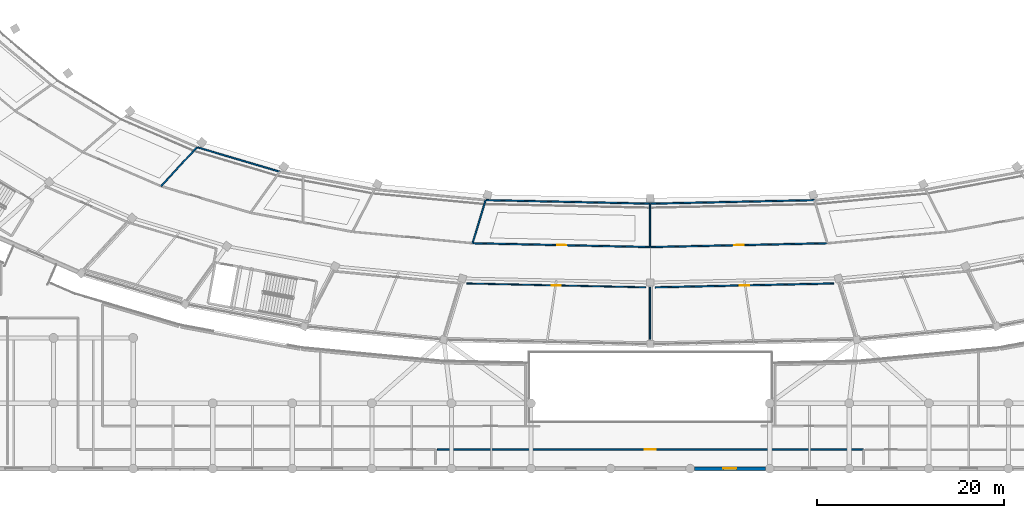
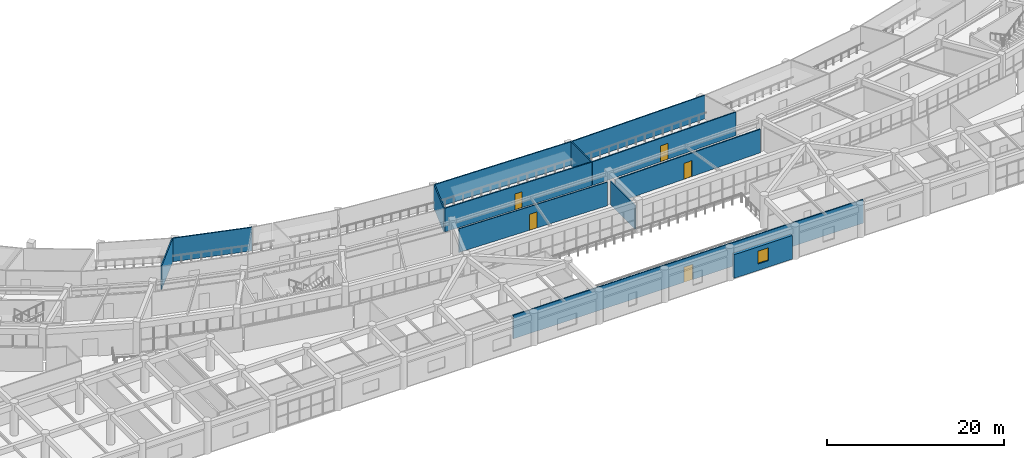
# One storey, part 93 of 141: 13 walls, 5 doors, 1 window, 6 openings.
"""IFC4 building model written with IfcOpenShell, lengths in metres."""

from ifc_helpers import new_model, si_unit, direction, frame, frame_2d, origin, place, context, subcontext, project, spatial, rectangle, extrude, material, layer, layer_set, type_object, element, fill, save


model = new_model("IFC4")

# Units and contexts
model_context = context("Model", 3, precision=1e-05, world=origin(), true_north=direction((0.0, 1.0)))
body_context = subcontext(model_context, "Body", "Model", "MODEL_VIEW")
ifc_project = project(units=[si_unit("LENGTHUNIT", "METRE"), si_unit("AREAUNIT", "SQUARE_METRE"), si_unit("VOLUMEUNIT", "CUBIC_METRE"), si_unit("PLANEANGLEUNIT", "RADIAN"), si_unit("MASSUNIT", "GRAM", prefix="KILO")], contexts=[model_context])

# Site, building, storey
site_placement = place(None, origin())
site = spatial("IfcSite", under=ifc_project, at=site_placement, CompositionType="ELEMENT")
building_placement = place(site_placement, origin())
building = spatial("IfcBuilding", under=site, at=building_placement, Name="Mphavela Belvedere Stadium", CompositionType="ELEMENT")
storey_placement = place(building_placement, frame((0.0, 0.0, 14.699951171875)))
storey = spatial("IfcBuildingStorey", under=building, at=storey_placement, Name="L03", CompositionType="ELEMENT", Elevation=14.699951171875)

# Wall, opening, window
ifc_material_1 = material(Name="Honed ashlar limestone masonry", Category="masonry")
ifc_layer_1 = layer(ifc_material_1, 0.35009765625)
ifc_layer_set_1 = layer_set([ifc_layer_1], Name="Honed ashlar limestone masonry")
wall_type_1 = type_object("IfcWallType", Name="WAL-EXT-ASHLAR-350", PredefinedType="STANDARD", material=ifc_layer_set_1)
wall_1_placement = place(storey_placement, frame((127.304931640625, 0.0, 0.0), z_axis=(0.0, 0.0, 1.0), x_axis=(-1.0, 0.0, 0.0)))
wall_1 = element("IfcWall", 1, at=wall_1_placement, inside=storey, type_object=wall_type_1, Name="South Axial Triumphal Peristyle Portico outer facade bay L03-15", PredefinedType="STANDARD", context=body_context, shape_type="SweptSolid", body=[
    extrude(rectangle(XDim=7.572998046875, YDim=0.35009765625, at=frame_2d((3.78662109375, 0.0))), origin(), (0.0, 0.0, 1.0), 3.260009765625),
])
opening_1_placement = place(wall_1_placement, frame((3.096435546875, 0.0, 0.89990234375)))
opening_1 = element("IfcOpeningElement", 2, at=opening_1_placement, cuts=wall_1, Name="Opening W-102", PredefinedType="OPENING", context=body_context, shape_type="SweptSolid", body=[
    extrude(rectangle(XDim=1.3798828125, YDim=1.75, at=frame_2d((0.68994140625, 0.875))), frame((0.0, 0.18505859375, 0.0), z_axis=(0.0, -1.0, 0.0), x_axis=(1.0, 0.0, 0.0)), (0.0, 0.0, 1.0), 0.3701171875),
])
ifc_material_2 = material(Name="Bronze-anodised thermally broken aluminium window", Category="aluminium")
window_type = type_object("IfcWindowType", Name="WIN-EXT-14", PartitioningType="SINGLE_PANEL", PredefinedType="WINDOW", material=ifc_material_2)
window_placement = place(opening_1_placement, origin())
window = element("IfcWindow", 3, at=window_placement, inside=storey, type_object=window_type, Name="South Axial Triumphal Peristyle Portico classical window W-102", OverallHeight=1.75, OverallWidth=1.3798828125, PartitioningType="SINGLE_PANEL", PredefinedType="WINDOW", context=body_context, shape_type="SweptSolid", body=[
    extrude(rectangle(XDim=1.3798828125, YDim=1.75, at=frame_2d((0.68994140625, 0.875))), frame((0.0, 0.030029296875, 0.0), z_axis=(0.0, -1.0, 0.0), x_axis=(1.0, 0.0, 0.0)), (0.0, 0.0, 1.0), 0.06005859375),
])
fill(opening_1, window)

# Wall, opening, door
ifc_material_3 = material(Name="Moisture-resistant sanitary partition assembly")
ifc_layer_2 = layer(ifc_material_3, 0.125)
ifc_layer_set_2 = layer_set([ifc_layer_2], Name="Moisture-resistant sanitary partition assembly")
wall_type_2 = type_object("IfcWallType", Name="WAL-PART-125", PredefinedType="PARTITIONING", material=ifc_layer_set_2)
wall_2_placement = place(storey_placement, frame((95.35595703125, 19.8291015625, 0.0), z_axis=(0.0, 0.0, 1.0), x_axis=(0.999768107727, -0.021534409017, 0.0)))
wall_2 = element("IfcWall", 4, at=wall_2_placement, inside=storey, type_object=wall_type_2, Name="Room L03-129 corridor partition", PredefinedType="PARTITIONING", context=body_context, shape_type="SweptSolid", body=[
    extrude(rectangle(XDim=19.13720703125, YDim=0.125, at=frame_2d((9.568603515625, 0.0))), origin(), (0.0, 0.0, 1.0), 3.25),
])
opening_2_placement = place(wall_2_placement, frame((9.07861328125, 0.0, 0.0)))
opening_2 = element("IfcOpeningElement", 5, at=opening_2_placement, cuts=wall_2, Name="Opening ID-303", PredefinedType="OPENING", context=body_context, shape_type="SweptSolid", body=[
    extrude(rectangle(XDim=0.97998046875, YDim=2.199951171875, at=frame_2d((0.489990234375, 1.10009765625))), frame((0.0, 0.072509765625, 0.0), z_axis=(0.0, -1.0, 0.0), x_axis=(1.0, 0.0, 0.0)), (0.0, 0.0, 1.0), 0.14501953125),
])
ifc_material_4 = material(Name="Hardwood acoustic timber doorset", Category="wood")
door_type_1 = type_object("IfcDoorType", Name="DR-INT-15", OperationType="NOTDEFINED", PredefinedType="DOOR", material=ifc_material_4)
door_1_placement = place(opening_2_placement, origin())
door_1 = element("IfcDoor", 6, at=door_1_placement, inside=storey, type_object=door_type_1, Name="Room L03-129 entrance door ID-303", OperationType="SINGLE_SWING_LEFT", OverallHeight=2.199951171875, OverallWidth=0.97998046875, PredefinedType="DOOR", context=body_context, shape_type="SweptSolid", body=[
    extrude(rectangle(XDim=0.97998046875, YDim=2.199951171875, at=frame_2d((0.489990234375, 1.10009765625))), frame((0.0, 0.02490234375, 0.0), z_axis=(0.0, -1.0, 0.0), x_axis=(1.0, 0.0, 0.0)), (0.0, 0.0, 1.0), 0.050048828125),
])
fill(opening_2, door_1)

ifc_material_5 = material(Name="Acoustic gypsum stud partition assembly")
ifc_layer_3 = layer(ifc_material_5, 0.14990234375)
ifc_layer_set_3 = layer_set([ifc_layer_3], Name="Acoustic gypsum stud partition assembly")
wall_type_3 = type_object("IfcWallType", Name="WAL-PART-150", PredefinedType="PARTITIONING", material=ifc_layer_set_3)
wall_3_placement = place(storey_placement, frame((114.9599609375, 23.726318359375, 0.0), z_axis=(0.0, 0.0, 1.0), x_axis=(-0.999768266483, 0.021527037261, 0.0)))
wall_3 = element("IfcWall", 7, at=wall_3_placement, inside=storey, type_object=wall_type_3, Name="Room L03-128 corridor partition", PredefinedType="PARTITIONING", context=body_context, shape_type="SweptSolid", body=[
    extrude(rectangle(XDim=18.9169921875, YDim=0.14990234375, at=frame_2d((9.45849609375, 0.0))), origin(), (0.0, 0.0, 1.0), 3.25),
])
opening_3_placement = place(wall_3_placement, frame((8.988525390625, 0.0, 0.0)))
opening_3 = element("IfcOpeningElement", 8, at=opening_3_placement, cuts=wall_3, Name="Opening ID-302", PredefinedType="OPENING", context=body_context, shape_type="SweptSolid", body=[
    extrude(rectangle(XDim=0.93994140625, YDim=2.199951171875, at=frame_2d((0.469970703125, 1.10009765625))), frame((0.0, 0.0849609375, 0.0), z_axis=(0.0, -1.0, 0.0), x_axis=(1.0, 0.0, 0.0)), (0.0, 0.0, 1.0), 0.169921875),
])
ifc_material_6 = material(Name="Hardwood acoustic timber doorset", Category="wood")
door_type_2 = type_object("IfcDoorType", Name="DR-INT-14", OperationType="NOTDEFINED", PredefinedType="DOOR", material=ifc_material_6)
door_2_placement = place(opening_3_placement, origin())
door_2 = element("IfcDoor", 9, at=door_2_placement, inside=storey, type_object=door_type_2, Name="Room L03-128 entrance door ID-302", OperationType="SINGLE_SWING_RIGHT", OverallHeight=2.199951171875, OverallWidth=0.93994140625, PredefinedType="DOOR", context=body_context, shape_type="SweptSolid", body=[
    extrude(rectangle(XDim=0.93994140625, YDim=2.199951171875, at=frame_2d((0.469970703125, 1.10009765625))), frame((0.0, 0.02490234375, 0.0), z_axis=(0.0, -1.0, 0.0), x_axis=(1.0, 0.0, 0.0)), (0.0, 0.0, 1.0), 0.050048828125),
])
fill(opening_3, door_2)

wall_4_placement = place(storey_placement, frame((133.95263671875, 24.133544921875, 0.0), z_axis=(0.0, 0.0, 1.0), x_axis=(-0.999768266483, -0.021527037261, 0.0)))
wall_4 = element("IfcWall", 10, at=wall_4_placement, inside=storey, type_object=wall_type_3, Name="Room L03-131 corridor partition", PredefinedType="PARTITIONING", context=body_context, shape_type="SweptSolid", body=[
    extrude(rectangle(XDim=18.9169921875, YDim=0.14990234375, at=frame_2d((9.45849609375, 0.0))), origin(), (0.0, 0.0, 1.0), 3.25),
])
opening_4_placement = place(wall_4_placement, frame((8.948486328125, 0.0, 0.0)))
opening_4 = element("IfcOpeningElement", 11, at=opening_4_placement, cuts=wall_4, Name="Opening ID-304", PredefinedType="OPENING", context=body_context, shape_type="SweptSolid", body=[
    extrude(rectangle(XDim=1.02001953125, YDim=2.199951171875, at=frame_2d((0.510009765625, 1.10009765625))), frame((0.0, 0.0849609375, 0.0), z_axis=(0.0, -1.0, 0.0), x_axis=(1.0, 0.0, 0.0)), (0.0, 0.0, 1.0), 0.169921875),
])
ifc_material_7 = material(Name="Hardwood acoustic timber doorset", Category="wood")
door_type_3 = type_object("IfcDoorType", Name="DR-INT-16", OperationType="NOTDEFINED", PredefinedType="DOOR", material=ifc_material_7)
door_3_placement = place(opening_4_placement, origin())
door_3 = element("IfcDoor", 12, at=door_3_placement, inside=storey, type_object=door_type_3, Name="Room L03-131 entrance door ID-304", OperationType="SINGLE_SWING_RIGHT", OverallHeight=2.199951171875, OverallWidth=1.02001953125, PredefinedType="DOOR", context=body_context, shape_type="SweptSolid", body=[
    extrude(rectangle(XDim=1.02001953125, YDim=2.199951171875, at=frame_2d((0.510009765625, 1.10009765625))), frame((0.0, 0.02490234375, 0.0), z_axis=(0.0, -1.0, 0.0), x_axis=(1.0, 0.0, 0.0)), (0.0, 0.0, 1.0), 0.050048828125),
])
fill(opening_4, door_3)

wall_5_placement = place(storey_placement, frame((115.51123046875, 19.4169921875, 0.0), z_axis=(0.0, 0.0, 1.0), x_axis=(0.999768107727, 0.021534409017, 0.0)))
wall_5 = element("IfcWall", 13, at=wall_5_placement, inside=storey, type_object=wall_type_3, Name="Room L03-132 corridor partition", PredefinedType="PARTITIONING", context=body_context, shape_type="SweptSolid", body=[
    extrude(rectangle(XDim=19.13720703125, YDim=0.14990234375, at=frame_2d((9.568603515625, 0.0))), origin(), (0.0, 0.0, 1.0), 3.25),
])
opening_5_placement = place(wall_5_placement, frame((9.038818359375, 0.0, 0.0)))
opening_5 = element("IfcOpeningElement", 14, at=opening_5_placement, cuts=wall_5, Name="Opening ID-305", PredefinedType="OPENING", context=body_context, shape_type="SweptSolid", body=[
    extrude(rectangle(XDim=1.06005859375, YDim=2.199951171875, at=frame_2d((0.530029296875, 1.10009765625))), frame((0.0, 0.0849609375, 0.0), z_axis=(0.0, -1.0, 0.0), x_axis=(1.0, 0.0, 0.0)), (0.0, 0.0, 1.0), 0.169921875),
])
ifc_material_8 = material(Name="Hardwood acoustic timber doorset", Category="wood")
door_type_4 = type_object("IfcDoorType", Name="DR-INT-17", OperationType="NOTDEFINED", PredefinedType="DOOR", material=ifc_material_8)
door_4_placement = place(opening_5_placement, origin())
door_4 = element("IfcDoor", 15, at=door_4_placement, inside=storey, type_object=door_type_4, Name="Room L03-132 entrance door ID-305", OperationType="SINGLE_SWING_LEFT", OverallHeight=2.199951171875, OverallWidth=1.06005859375, PredefinedType="DOOR", context=body_context, shape_type="SweptSolid", body=[
    extrude(rectangle(XDim=1.06005859375, YDim=2.199951171875, at=frame_2d((0.530029296875, 1.10009765625))), frame((0.0, 0.02490234375, 0.0), z_axis=(0.0, -1.0, 0.0), x_axis=(1.0, 0.0, 0.0)), (0.0, 0.0, 1.0), 0.050048828125),
])
fill(opening_5, door_4)

wall_6_placement = place(storey_placement, frame((92.18994140625, 2.0400390625, 0.0), z_axis=(0.0, 0.0, 1.0), x_axis=(1.0, 0.0, 0.0)))
wall_6 = element("IfcWall", 16, at=wall_6_placement, inside=storey, type_object=wall_type_3, Name="Room L03-168 corridor partition", PredefinedType="PARTITIONING", context=body_context, shape_type="SweptSolid", body=[
    extrude(rectangle(XDim=45.6201171875, YDim=0.14990234375, at=frame_2d((22.81005859375, 0.0))), origin(), (0.0, 0.0, 1.0), 3.25),
])
opening_6_placement = place(wall_6_placement, frame((22.219970703125, 0.0, 0.0)))
opening_6 = element("IfcOpeningElement", 17, at=opening_6_placement, cuts=wall_6, Name="Opening ID-404", PredefinedType="OPENING", context=body_context, shape_type="SweptSolid", body=[
    extrude(rectangle(XDim=1.179931640625, YDim=2.10009765625, at=frame_2d((0.58984375, 1.050048828125))), frame((0.0, 0.0849609375, 0.0), z_axis=(0.0, -1.0, 0.0), x_axis=(1.0, 0.0, 0.0)), (0.0, 0.0, 1.0), 0.169921875),
])
ifc_material_9 = material(Name="Hardwood acoustic timber doorset", Category="wood")
door_type_5 = type_object("IfcDoorType", Name="DR-INT-08", OperationType="NOTDEFINED", PredefinedType="DOOR", material=ifc_material_9)
door_5_placement = place(opening_6_placement, origin())
door_5 = element("IfcDoor", 18, at=door_5_placement, inside=storey, type_object=door_type_5, Name="Room L03-168 entrance door ID-404", OperationType="SINGLE_SWING_RIGHT", OverallHeight=2.10009765625, OverallWidth=1.179931640625, PredefinedType="DOOR", context=body_context, shape_type="SweptSolid", body=[
    extrude(rectangle(XDim=1.179931640625, YDim=2.10009765625, at=frame_2d((0.58984375, 1.050048828125))), frame((0.0, 0.02490234375, 0.0), z_axis=(0.0, -1.0, 0.0), x_axis=(1.0, 0.0, 0.0)), (0.0, 0.0, 1.0), 0.050048828125),
])
fill(opening_6, door_5)

# Walls
wall_7_placement = place(storey_placement, frame((66.4697265625, 34.42431640625, 0.0), z_axis=(0.0, 0.0, 1.0), x_axis=(-0.677867773629, -0.735183841958, 0.0)))
element("IfcWall", 19, at=wall_7_placement, inside=storey, type_object=wall_type_3, Name="Room divider partition L03-0531", PredefinedType="PARTITIONING", context=body_context, shape_type="SweptSolid", body=[
    extrude(rectangle(XDim=5.68212890625, YDim=0.14990234375, at=frame_2d((2.841064453125, 0.0))), origin(), (0.0, 0.0, 1.0), 3.25),
])
wall_8_placement = place(storey_placement, frame((66.5498046875, 34.393310546875, 0.0), z_axis=(0.0, 0.0, 1.0), x_axis=(0.958661639872, -0.284548520005, 0.0)))
element("IfcWall", 20, at=wall_8_placement, inside=storey, type_object=wall_type_3, Name="Room divider partition L03-0533", PredefinedType="PARTITIONING", context=body_context, shape_type="SweptSolid", body=[
    extrude(rectangle(XDim=9.157470703125, YDim=0.14990234375, at=frame_2d((4.57861328125, 0.0))), origin(), (0.0, 0.0, 1.0), 3.25),
])
wall_9_placement = place(storey_placement, frame((97.360107421875, 28.7548828125, 0.0), z_axis=(0.0, 0.0, 1.0), x_axis=(-0.289223400142, -0.957261628193, 0.0)))
element("IfcWall", 21, at=wall_9_placement, inside=storey, type_object=wall_type_3, Name="Room divider partition L03-0543", PredefinedType="PARTITIONING", context=body_context, shape_type="SweptSolid", body=[
    extrude(rectangle(XDim=4.8232421875, YDim=0.14990234375, at=frame_2d((2.41162109375, 0.0))), origin(), (0.0, 0.0, 1.0), 3.25),
])
wall_10_placement = place(storey_placement, frame((97.442138671875, 28.74951171875, 0.0), z_axis=(0.0, 0.0, 1.0), x_axis=(0.999768262744, -0.021527210931, 0.0)))
element("IfcWall", 22, at=wall_10_placement, inside=storey, type_object=wall_type_3, Name="Room divider partition L03-0546", PredefinedType="PARTITIONING", context=body_context, shape_type="SweptSolid", body=[
    extrude(rectangle(XDim=17.52197265625, YDim=0.14990234375, at=frame_2d((8.760986328125, 0.0))), origin(), (0.0, 0.0, 1.0), 3.25),
])
wall_11_placement = place(storey_placement, frame((114.9599609375, 28.372314453125, 0.0), z_axis=(0.0, 0.0, 1.0), x_axis=(0.0, -1.0, 0.0)))
element("IfcWall", 23, at=wall_11_placement, inside=storey, type_object=wall_type_3, Name="Room divider partition L03-0547", PredefinedType="PARTITIONING", context=body_context, shape_type="SweptSolid", body=[
    extrude(rectangle(XDim=4.64599609375, YDim=0.14990234375, at=frame_2d((2.322998046875, 0.0))), origin(), (0.0, 0.0, 1.0), 3.25),
])
wall_12_placement = place(storey_placement, frame((114.9599609375, 19.406982421875, 0.0), z_axis=(0.0, 0.0, 1.0), x_axis=(0.0, -1.0, 0.0)))
element("IfcWall", 24, at=wall_12_placement, inside=storey, type_object=wall_type_3, Name="Room divider partition L03-0548", PredefinedType="PARTITIONING", context=body_context, shape_type="SweptSolid", body=[
    extrude(rectangle(XDim=5.576904296875, YDim=0.14990234375, at=frame_2d((2.78857421875, 0.0))), origin(), (0.0, 0.0, 1.0), 3.25),
])
wall_13_placement = place(storey_placement, frame((115.0400390625, 28.372314453125, 0.0), z_axis=(0.0, 0.0, 1.0), x_axis=(0.999768262744, 0.021527210931, 0.0)))
element("IfcWall", 25, at=wall_13_placement, inside=storey, type_object=wall_type_3, Name="Room divider partition L03-0549", PredefinedType="PARTITIONING", context=body_context, shape_type="SweptSolid", body=[
    extrude(rectangle(XDim=17.52197265625, YDim=0.14990234375, at=frame_2d((8.760986328125, 0.0))), origin(), (0.0, 0.0, 1.0), 3.25),
])

save(model, "model.ifc")
